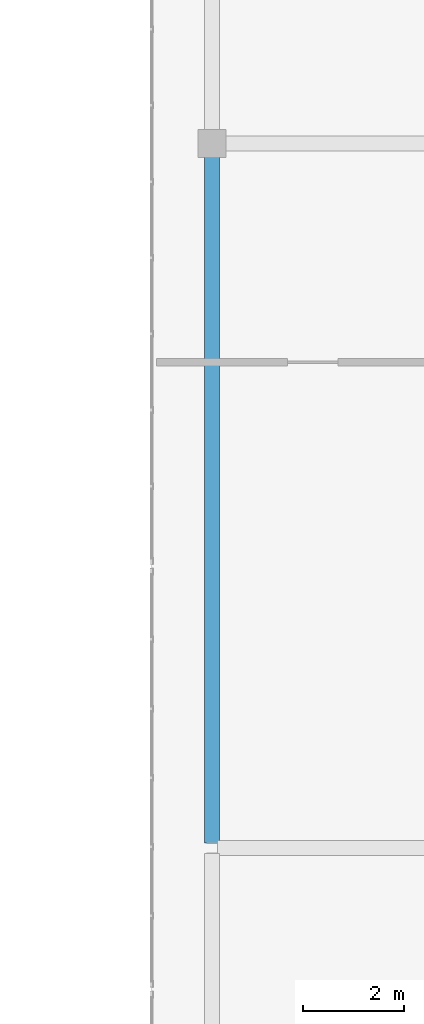
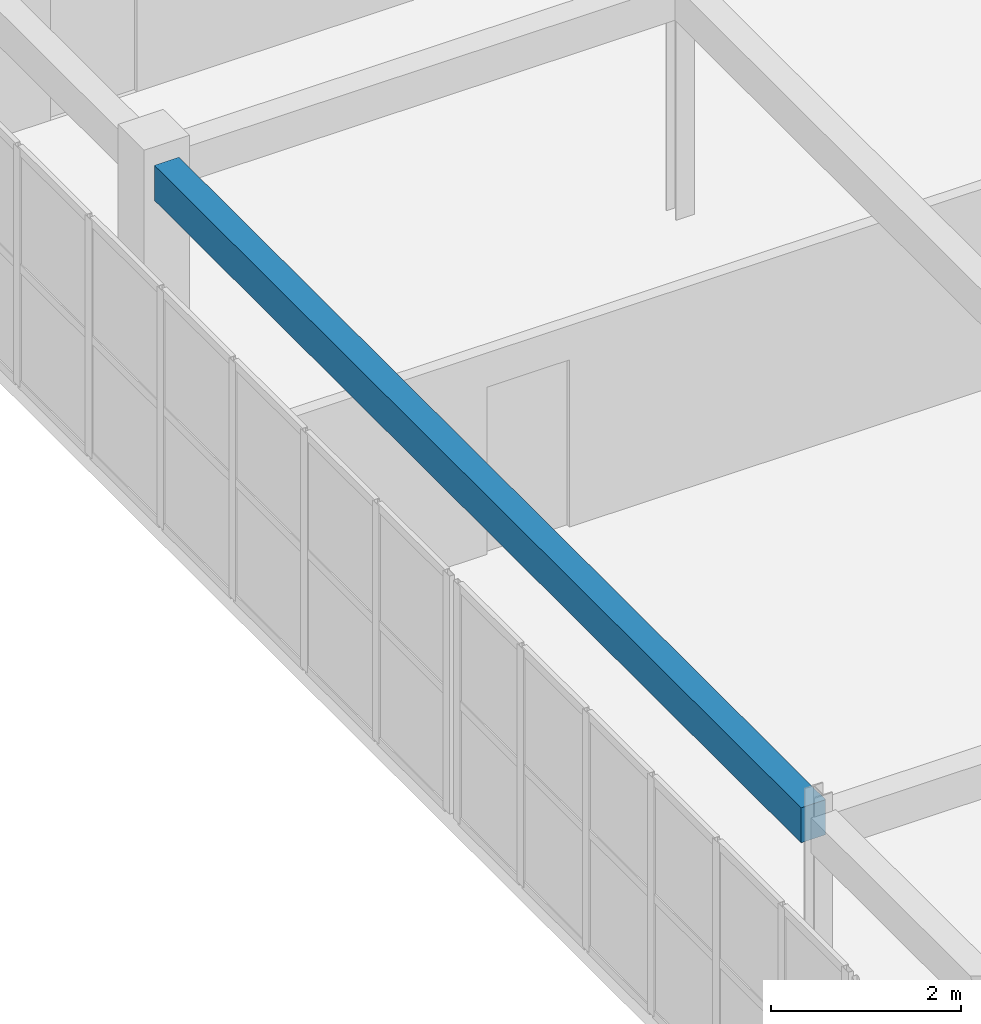
# One storey, part 19 of 148: 1 beam.
"""IFC4 building model written with IfcOpenShell, lengths in metres."""

from ifc_helpers import new_model, si_unit, direction, frame, origin, origin_2d, place, context, subcontext, project, spatial, rectangle, extrude, material, material_profile, profile_set, type_object, element, save


model = new_model("IFC4")

# Units and contexts
model_context = context("Model", 3, precision=1e-05, world=origin(), true_north=direction((0.0, 1.0)))
body_context = subcontext(model_context, "Body", "Model", "MODEL_VIEW")
ifc_project = project(units=[si_unit("LENGTHUNIT", "METRE"), si_unit("AREAUNIT", "SQUARE_METRE"), si_unit("VOLUMEUNIT", "CUBIC_METRE"), si_unit("PLANEANGLEUNIT", "RADIAN"), si_unit("MASSUNIT", "GRAM", prefix="KILO")], contexts=[model_context])

# Site, building, storey
site_placement = place(None, origin())
site = spatial("IfcSite", under=ifc_project, at=site_placement, CompositionType="ELEMENT")
building_placement = place(site_placement, origin())
building = spatial("IfcBuilding", under=site, at=building_placement, Name="Trelvath General Hospital", CompositionType="ELEMENT")
storey_placement = place(building_placement, frame((0.0, 0.0, 12.89990234375)))
storey = spatial("IfcBuildingStorey", under=building, at=storey_placement, Name="L03", CompositionType="ELEMENT", Elevation=12.89990234375)

# Beam
ifc_material = material(Name="Concrete C35/45", Category="concrete")
ifc_material_profile = material_profile(ifc_material, rectangle(XDim=0.300048828125, YDim=0.449951171875, at=origin_2d()), Name="RCB300x450")
ifc_profile_set = profile_set([ifc_material_profile], Name="Concrete C35/45")
beam_type = type_object("IfcBeamType", Name="Beam RC300x450", PredefinedType="BEAM", material=ifc_profile_set)
beam_placement = place(storey_placement, frame((54.39990234375, 44.906005859375, 2.835205078125), z_axis=(0.0, 1.0, 0.0), x_axis=(-1.0, 0.0, 0.0)))
element("IfcBeam", 1, at=beam_placement, inside=storey, type_object=beam_type, Name="Cube Interior Ring Beam CUBE-W-T1 L03", PredefinedType="BEAM", context=body_context, shape_type="SweptSolid", body=[
    extrude(rectangle(XDim=0.300048828125, YDim=0.449951171875, at=origin_2d()), origin(), (0.0, 0.0, 1.0), 13.623046875),
])

save(model, "model.ifc")
